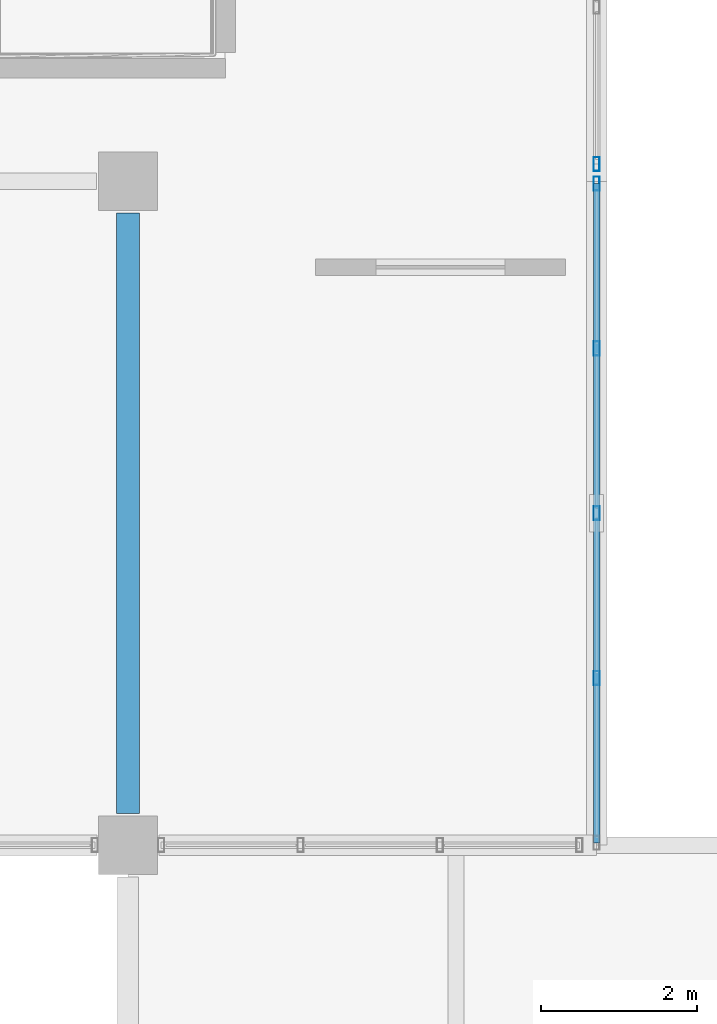
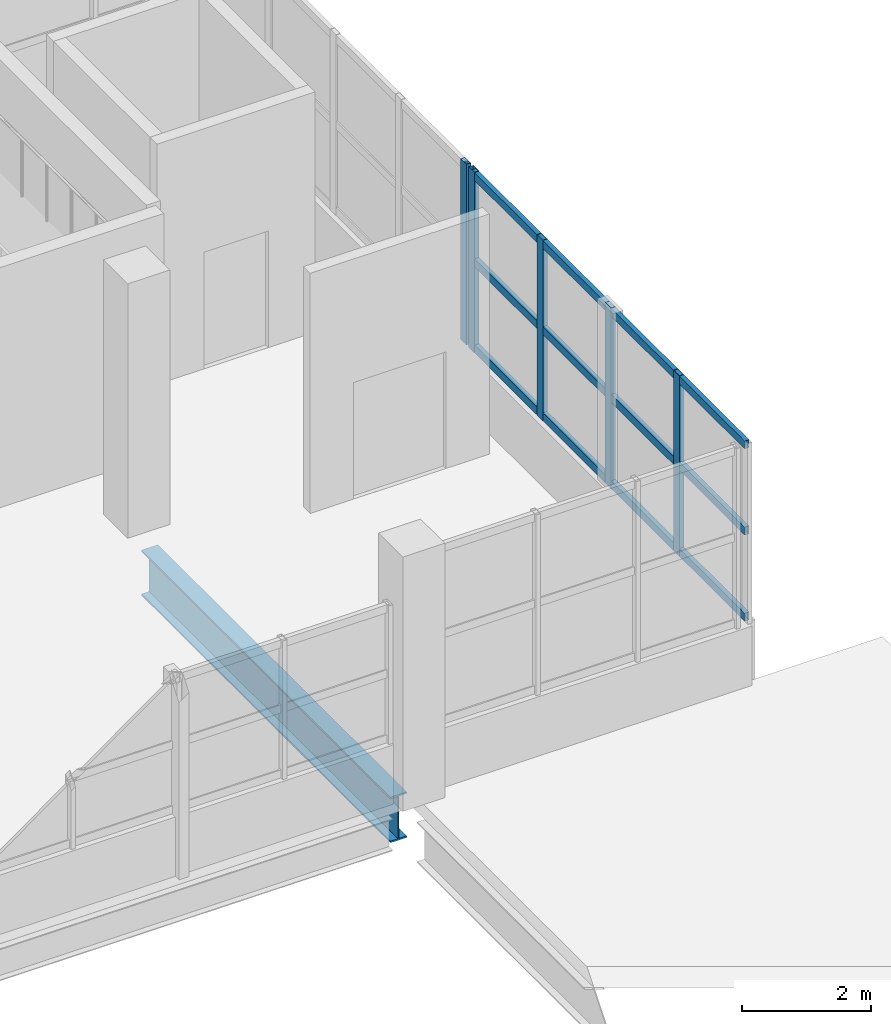
# One storey, part 47 of 117: 8 members, 1 beam, 2 elements without a shape of their own.
"""IFC4 building model written with IfcOpenShell, lengths in metres."""

from ifc_helpers import new_model, si_unit, direction, frame, origin, origin_2d, place, context, subcontext, project, spatial, hollow_rectangle, i_section, extrude, material, material_profile, profile_set, type_object, element, aggregate, save


model = new_model("IFC4")

# Units and contexts
model_context = context("Model", 3, precision=1e-05, world=origin(), true_north=direction((0.0, 1.0)))
body_context = subcontext(model_context, "Body", "Model", "MODEL_VIEW")
ifc_project = project(units=[si_unit("LENGTHUNIT", "METRE"), si_unit("AREAUNIT", "SQUARE_METRE"), si_unit("VOLUMEUNIT", "CUBIC_METRE"), si_unit("PLANEANGLEUNIT", "RADIAN"), si_unit("MASSUNIT", "GRAM", prefix="KILO")], contexts=[model_context])

# Site, building, storey
site_placement = place(None, origin())
site = spatial("IfcSite", under=ifc_project, at=site_placement, CompositionType="ELEMENT")
building_placement = place(site_placement, origin())
building = spatial("IfcBuilding", under=site, at=building_placement, Name="Solvento Point Concert Hall", CompositionType="ELEMENT")
storey_placement = place(building_placement, frame((0.0, 0.0, 5.39990234375)))
storey = spatial("IfcBuildingStorey", under=building, at=storey_placement, Name="L01", CompositionType="ELEMENT", Elevation=5.39990234375)

# Beam
ifc_material_1 = material(Name="Structural Steel ASTM A992 Grade 50", Category="steel")
ifc_material_profile_1 = material_profile(ifc_material_1, i_section(OverallWidth=0.2919921875, OverallDepth=0.85888671875, WebThickness=0.01708984375, FlangeThickness=0.031005859375, at=origin_2d()), Name="W33X169")
ifc_profile_set_1 = profile_set([ifc_material_profile_1], Name="Structural Steel ASTM A992 Grade 50")
beam_type = type_object("IfcBeamType", Name="Girder_W33X169", PredefinedType="USERDEFINED", material=ifc_profile_set_1)
beam_placement = place(storey_placement, frame((66.0, 119.404052734375, -0.71337890625), z_axis=(0.0, 1.0, 0.0), x_axis=(-1.0, 0.0, 0.0)))
element("IfcBeam", 1, at=beam_placement, inside=storey, type_object=beam_type, Name="Primary girder B-33 L01", ObjectType="GIRDER", PredefinedType="USERDEFINED", context=body_context, shape_type="SweptSolid", body=[
    extrude(i_section(OverallWidth=0.2919921875, OverallDepth=0.85888671875, WebThickness=0.01708984375, FlangeThickness=0.031005859375, at=origin_2d()), origin(), (0.0, 0.0, 1.0), 7.69189453125),
])

# Curtain wall, members
ifc_material_2 = material(Name="Anodized Bronze Aluminium", Category="aluminium")
curtain_wall_type = type_object("IfcCurtainWallType", Name="CurtainWall_CourtPilotis", PredefinedType="USERDEFINED", material=ifc_material_2)
curtain_wall_1_placement = place(storey_placement, origin())
curtain_wall_1 = element("IfcCurtainWall", 2, at=curtain_wall_1_placement, inside=storey, type_object=curtain_wall_type, Name="Unitised curtain wall CW-96 UCW-L01-132", ObjectType="UNITISED CURTAIN WALL", PredefinedType="USERDEFINED")
ifc_material_3 = material(Name="Anodized Bronze Aluminium", Category="aluminium")
ifc_material_profile_2 = material_profile(ifc_material_3, hollow_rectangle(XDim=0.080078125, YDim=0.179931640625, WallThickness=0.00390625, at=origin_2d()), Name="CW-MUL-80X180")
ifc_profile_set_2 = profile_set([ifc_material_profile_2], Name="Anodized Bronze Aluminium")
member_type_1 = type_object("IfcMemberType", Name="Mullion_80x180", PredefinedType="MULLION", material=ifc_profile_set_2)
member_1_placement = place(storey_placement, frame((72.0, 121.139892578125, 1.1201171875), z_axis=(0.0, 0.0, 1.0), x_axis=(1.0, 0.0, 0.0)))
member_1 = element("IfcMember", 3, at=member_1_placement, type_object=member_type_1, Name="Curtain wall mullion ML-01", PredefinedType="MULLION", context=body_context, shape_type="SweptSolid", body=[
    extrude(hollow_rectangle(XDim=0.080078125, YDim=0.179931640625, WallThickness=0.00390625, at=origin_2d()), origin(), (0.0, 0.0, 1.0), 3.409912109375),
])
member_2_placement = place(storey_placement, frame((72.0, 123.25, 1.1201171875), z_axis=(0.0, 0.0, 1.0), x_axis=(1.0, 0.0, 0.0)))
member_2 = element("IfcMember", 4, at=member_2_placement, type_object=member_type_1, Name="Curtain wall mullion ML-01", PredefinedType="MULLION", context=body_context, shape_type="SweptSolid", body=[
    extrude(hollow_rectangle(XDim=0.080078125, YDim=0.179931640625, WallThickness=0.00390625, at=origin_2d()), origin(), (0.0, 0.0, 1.0), 3.409912109375),
])
member_3_placement = place(storey_placement, frame((72.0, 125.360107421875, 1.1201171875), z_axis=(0.0, 0.0, 1.0), x_axis=(1.0, 0.0, 0.0)))
member_3 = element("IfcMember", 5, at=member_3_placement, type_object=member_type_1, Name="Curtain wall mullion ML-01", PredefinedType="MULLION", context=body_context, shape_type="SweptSolid", body=[
    extrude(hollow_rectangle(XDim=0.080078125, YDim=0.179931640625, WallThickness=0.00390625, at=origin_2d()), origin(), (0.0, 0.0, 1.0), 3.409912109375),
])
member_4_placement = place(storey_placement, frame((72.0, 127.469970703125, 1.1201171875), z_axis=(0.0, 0.0, 1.0), x_axis=(1.0, 0.0, 0.0)))
member_4 = element("IfcMember", 6, at=member_4_placement, type_object=member_type_1, Name="Curtain wall mullion ML-01", PredefinedType="MULLION", context=body_context, shape_type="SweptSolid", body=[
    extrude(hollow_rectangle(XDim=0.080078125, YDim=0.179931640625, WallThickness=0.00390625, at=origin_2d()), origin(), (0.0, 0.0, 1.0), 3.409912109375),
])

# Curtain wall, member
curtain_wall_2_placement = place(storey_placement, origin())
curtain_wall_2 = element("IfcCurtainWall", 7, at=curtain_wall_2_placement, inside=storey, type_object=curtain_wall_type, Name="Unitised curtain wall CW-96 UCW-L01-133", ObjectType="UNITISED CURTAIN WALL", PredefinedType="USERDEFINED")
member_5_placement = place(storey_placement, frame((72.0, 127.719970703125, 1.1201171875), z_axis=(0.0, 0.0, 1.0), x_axis=(1.0, 0.0, 0.0)))
member_5 = element("IfcMember", 8, at=member_5_placement, type_object=member_type_1, Name="Curtain wall mullion ML-01", PredefinedType="MULLION", context=body_context, shape_type="SweptSolid", body=[
    extrude(hollow_rectangle(XDim=0.080078125, YDim=0.179931640625, WallThickness=0.00390625, at=origin_2d()), origin(), (0.0, 0.0, 1.0), 3.409912109375),
])
aggregate(curtain_wall_2, [member_5])

# Member
ifc_material_4 = material(Name="Anodized Bronze Aluminium", Category="aluminium")
ifc_material_profile_3 = material_profile(ifc_material_4, hollow_rectangle(XDim=0.080078125, YDim=0.14990234375, WallThickness=0.00390625, at=origin_2d()), Name="CW-TRN-80X150")
ifc_profile_set_3 = profile_set([ifc_material_profile_3], Name="Anodized Bronze Aluminium")
member_type_2 = type_object("IfcMemberType", Name="Transom_80x150", PredefinedType="USERDEFINED", material=ifc_profile_set_3)
member_6_placement = place(storey_placement, frame((72.0, 119.030029296875, 1.2001953125), z_axis=(0.0, 1.0, 0.0), x_axis=(-1.0, 0.0, 0.0)))
member_6 = element("IfcMember", 9, at=member_6_placement, type_object=member_type_2, Name="Curtain wall transom TR-01", ObjectType="TRANSOM", PredefinedType="USERDEFINED", context=body_context, shape_type="SweptSolid", body=[
    extrude(hollow_rectangle(XDim=0.080078125, YDim=0.14990234375, WallThickness=0.00390625, at=origin_2d()), origin(), (0.0, 0.0, 1.0), 8.43994140625),
])

member_7_placement = place(storey_placement, frame((72.0, 119.030029296875, 2.8251953125), z_axis=(0.0, 1.0, 0.0), x_axis=(-1.0, 0.0, 0.0)))
member_7 = element("IfcMember", 10, at=member_7_placement, type_object=member_type_2, Name="Curtain wall transom TR-01", ObjectType="TRANSOM", PredefinedType="USERDEFINED", context=body_context, shape_type="SweptSolid", body=[
    extrude(hollow_rectangle(XDim=0.080078125, YDim=0.14990234375, WallThickness=0.00390625, at=origin_2d()), origin(), (0.0, 0.0, 1.0), 8.43994140625),
])

member_8_placement = place(storey_placement, frame((72.0, 119.030029296875, 4.4501953125), z_axis=(0.0, 1.0, 0.0), x_axis=(-1.0, 0.0, 0.0)))
member_8 = element("IfcMember", 11, at=member_8_placement, type_object=member_type_2, Name="Curtain wall transom TR-01", ObjectType="TRANSOM", PredefinedType="USERDEFINED", context=body_context, shape_type="SweptSolid", body=[
    extrude(hollow_rectangle(XDim=0.080078125, YDim=0.14990234375, WallThickness=0.00390625, at=origin_2d()), origin(), (0.0, 0.0, 1.0), 8.43994140625),
])

aggregate(curtain_wall_1, [member_1, member_2, member_3, member_4, member_6, member_7, member_8])

save(model, "model.ifc")
